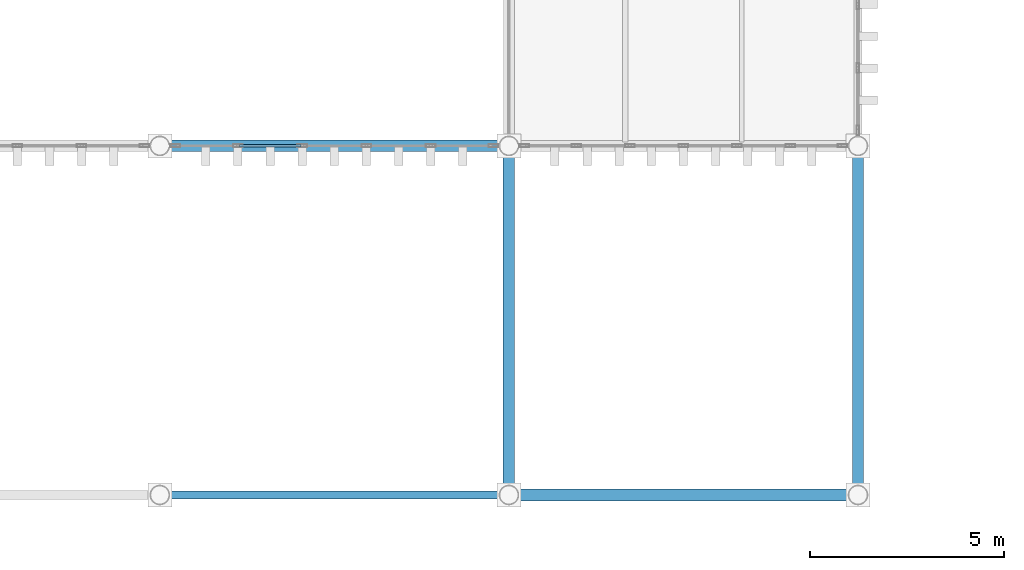
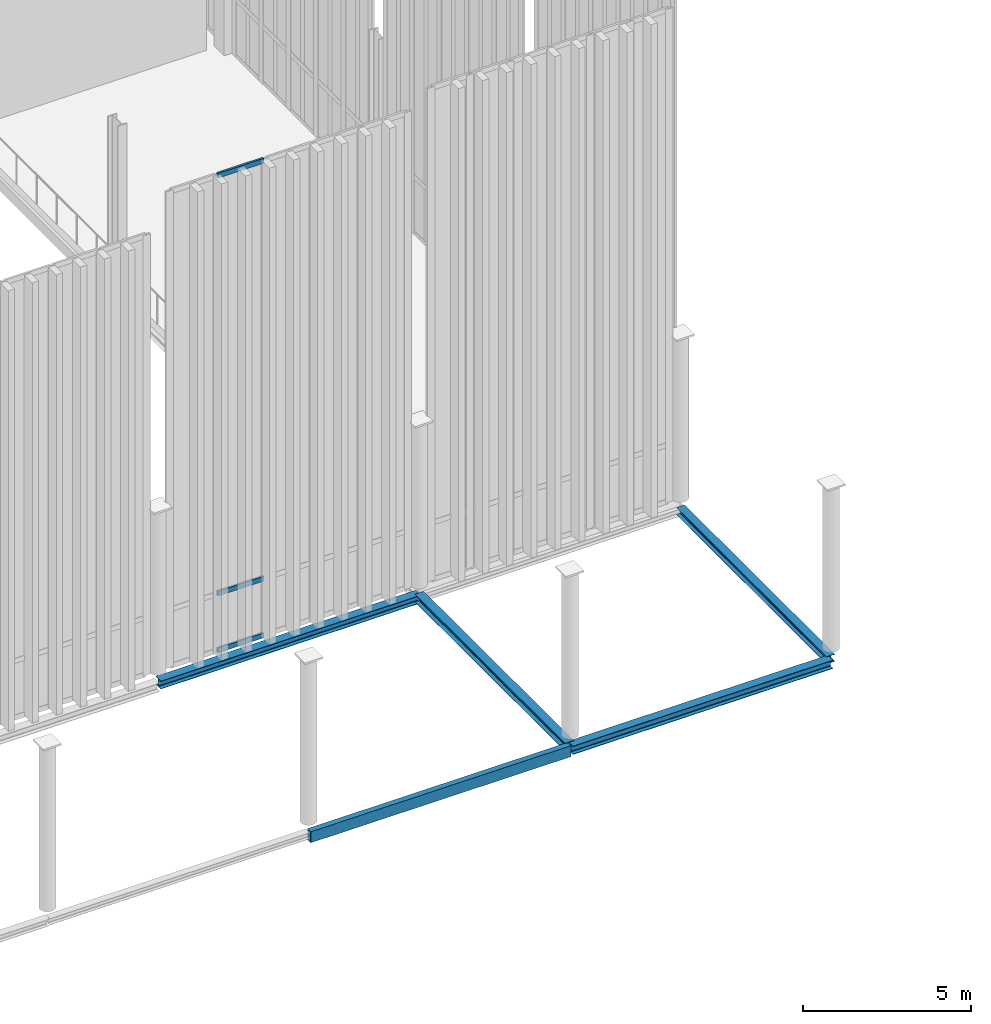
# One storey, part 44 of 237: 5 beams, 3 members, 1 element without a shape of its own.
"""IFC4 building model written with IfcOpenShell, lengths in metres."""

from ifc_helpers import new_model, si_unit, direction, frame, origin, origin_2d, place, context, subcontext, project, spatial, hollow_rectangle, i_section, extrude, material, layer, layer_set, material_profile, profile_set, type_object, element, aggregate, save


model = new_model("IFC4")

# Units and contexts
model_context = context("Model", 3, precision=1e-05, world=origin(), true_north=direction((0.0, 1.0)))
body_context = subcontext(model_context, "Body", "Model", "MODEL_VIEW")
ifc_project = project(units=[si_unit("LENGTHUNIT", "METRE"), si_unit("AREAUNIT", "SQUARE_METRE"), si_unit("VOLUMEUNIT", "CUBIC_METRE"), si_unit("PLANEANGLEUNIT", "RADIAN"), si_unit("MASSUNIT", "GRAM", prefix="KILO")], contexts=[model_context])

# Site, building, storey
site_placement = place(None, origin())
site = spatial("IfcSite", under=ifc_project, at=site_placement, CompositionType="ELEMENT")
building_placement = place(site_placement, origin())
building = spatial("IfcBuilding", under=site, at=building_placement, Name="Barlavento Convention Centre", CompositionType="ELEMENT")
storey_placement = place(building_placement, frame((0.0, 0.0, 12.0)))
storey = spatial("IfcBuildingStorey", under=building, at=storey_placement, Name="L02", CompositionType="ELEMENT", Elevation=12.0)

# Curtain wall, members
ifc_material_1 = material(Name="Powder-coated aluminium and Low-E glass", Category="aluminium")
ifc_layer = layer(ifc_material_1, 0.18994140625)
ifc_layer_set = layer_set([ifc_layer], Name="ARC-CW-CONG-L02")
curtain_wall_type = type_object("IfcCurtainWallType", Name="ARC-CW-CONG-L02", PredefinedType="NOTDEFINED", material=ifc_layer_set)
curtain_wall_placement = place(storey_placement, origin())
curtain_wall = element("IfcCurtainWall", 1, at=curtain_wall_placement, inside=storey, type_object=curtain_wall_type, Name="L02 unitised curtain wall CW02", PredefinedType="NOTDEFINED")
ifc_material_2 = material(Name="Powder-coated aluminium", Category="aluminium")
ifc_material_profile_1 = material_profile(ifc_material_2, hollow_rectangle(XDim=0.070068359375, YDim=0.179931640625, WallThickness=0.0048828125, at=origin_2d()), Name="AL-TRAN 70x180x5")
ifc_profile_set_1 = profile_set([ifc_material_profile_1], Name="Powder-coated aluminium")
member_type = type_object("IfcMemberType", Name="ARC-CWT-70X180", PredefinedType="USERDEFINED", material=ifc_profile_set_1)
member_1_placement = place(storey_placement, frame((47.052978515625, 9.0, 0.034912109375), z_axis=(1.0, 0.0, 0.0), x_axis=(0.0, 1.0, 0.0)))
member_1 = element("IfcMember", 2, at=member_1_placement, type_object=member_type, Name="CW02 transom 2.1", ObjectType="TRANSOM", PredefinedType="USERDEFINED", context=body_context, shape_type="SweptSolid", body=[
    extrude(hollow_rectangle(XDim=0.070068359375, YDim=0.179931640625, WallThickness=0.0048828125, at=origin_2d()), origin(), (0.0, 0.0, 1.0), 1.581298828125),
])
member_2_placement = place(storey_placement, frame((47.052978515625, 9.0, 2.10009765625), z_axis=(1.0, 0.0, 0.0), x_axis=(0.0, 1.0, 0.0)))
member_2 = element("IfcMember", 3, at=member_2_placement, type_object=member_type, Name="CW02 transom 2.2", ObjectType="TRANSOM", PredefinedType="USERDEFINED", context=body_context, shape_type="SweptSolid", body=[
    extrude(hollow_rectangle(XDim=0.070068359375, YDim=0.179931640625, WallThickness=0.0048828125, at=origin_2d()), origin(), (0.0, 0.0, 1.0), 1.581298828125),
])
member_3_placement = place(storey_placement, frame((47.052978515625, 9.0, 17.319091796875), z_axis=(1.0, 0.0, 0.0), x_axis=(0.0, 1.0, 0.0)))
member_3 = element("IfcMember", 4, at=member_3_placement, type_object=member_type, Name="CW02 transom 2.3", ObjectType="TRANSOM", PredefinedType="USERDEFINED", context=body_context, shape_type="SweptSolid", body=[
    extrude(hollow_rectangle(XDim=0.070068359375, YDim=0.179931640625, WallThickness=0.0048828125, at=origin_2d()), origin(), (0.0, 0.0, 1.0), 1.581298828125),
])
aggregate(curtain_wall, [member_1, member_2, member_3])

# Beams
ifc_material_3 = material(Name="Steel S355", Category="steel")
ifc_material_profile_2 = material_profile(ifc_material_3, i_section(OverallWidth=0.280029296875, OverallDepth=0.27001953125, WebThickness=0.008056640625, FlangeThickness=0.012939453125, FilletRadius=0.02392578125, at=origin_2d()), Name="HEA 280")
ifc_profile_set_2 = profile_set([ifc_material_profile_2], Name="Steel S355")
beam_type_1 = type_object("IfcBeamType", Name="STR-BM-SPN-HEA280", PredefinedType="SPANDREL", material=ifc_profile_set_2)
beam_1_placement = place(storey_placement, frame((63.0, 0.02001953125, -0.43505859375), z_axis=(0.0, 1.0, 0.0), x_axis=(-1.0, 0.0, 0.0)))
element("IfcBeam", 5, at=beam_1_placement, inside=storey, type_object=beam_type_1, Name="L02 grid girder SP03", PredefinedType="SPANDREL", context=body_context, shape_type="SweptSolid", body=[
    extrude(i_section(OverallWidth=0.280029296875, OverallDepth=0.27001953125, WebThickness=0.008056640625, FlangeThickness=0.012939453125, FilletRadius=0.02392578125, at=origin_2d()), origin(), (0.0, 0.0, 1.0), 8.9599609375),
])
ifc_material_profile_3 = material_profile(ifc_material_3, i_section(OverallWidth=0.300048828125, OverallDepth=0.2900390625, WebThickness=0.008544921875, FlangeThickness=0.013916015625, FilletRadius=0.027099609375, at=origin_2d()), Name="HEA 300")
ifc_profile_set_3 = profile_set([ifc_material_profile_3], Name="Steel S355")
beam_type_2 = type_object("IfcBeamType", Name="STR-BM-SPN-HEA300", PredefinedType="SPANDREL", material=ifc_profile_set_3)
for number, where, z_axis, x_axis, name in (
    (6, (45.02001953125, 9.0, -0.445068359375), (1.0, 0.0, 0.0), (0.0, 1.0, 0.0), "L02 primary girder SP02"),
    (7, (54.0, 0.02001953125, -0.445068359375), (0.0, 1.0, 0.0), (-1.0, 0.0, 0.0), "L02 grid girder SP02"),
):
    element("IfcBeam", number, at=place(storey_placement, frame(where, z_axis=z_axis, x_axis=x_axis)), inside=storey, type_object=beam_type_2, Name=name, PredefinedType="SPANDREL", context=body_context, shape_type="SweptSolid", body=[
        extrude(i_section(OverallWidth=0.300048828125, OverallDepth=0.2900390625, WebThickness=0.008544921875, FlangeThickness=0.013916015625, FilletRadius=0.027099609375, at=origin_2d()), origin(), (0.0, 0.0, 1.0), 8.9599609375),
    ])
ifc_material_profile_4 = material_profile(ifc_material_3, i_section(OverallWidth=0.300048828125, OverallDepth=0.31005859375, WebThickness=0.009033203125, FlangeThickness=0.015380859375, FilletRadius=0.027099609375, at=origin_2d()), Name="HEA 320")
ifc_profile_set_4 = profile_set([ifc_material_profile_4], Name="Steel S355")
beam_type_3 = type_object("IfcBeamType", Name="STR-BM-SPN-HEA320", PredefinedType="SPANDREL", material=ifc_profile_set_4)
beam_2_placement = place(storey_placement, frame((54.02001953125, 0.0, -0.514892578125), z_axis=(1.0, 0.0, 0.0), x_axis=(0.0, 1.0, 0.0)))
element("IfcBeam", 8, at=beam_2_placement, inside=storey, type_object=beam_type_3, Name="L02 primary girder SP01", PredefinedType="SPANDREL", context=body_context, shape_type="SweptSolid", body=[
    extrude(i_section(OverallWidth=0.300048828125, OverallDepth=0.31005859375, WebThickness=0.009033203125, FlangeThickness=0.015380859375, FilletRadius=0.027099609375, at=origin_2d()), origin(), (0.0, 0.0, 1.0), 8.9599609375),
])
ifc_material_profile_5 = material_profile(ifc_material_3, hollow_rectangle(XDim=0.199951171875, YDim=0.39990234375, WallThickness=0.01611328125, at=origin_2d()), Name="RHS 400x200x16.0")
ifc_profile_set_5 = profile_set([ifc_material_profile_5], Name="Steel S355")
beam_type_4 = type_object("IfcBeamType", Name="STR-BM-SPN-RHS400", PredefinedType="SPANDREL", material=ifc_profile_set_5)
beam_3_placement = place(storey_placement, frame((45.02001953125, 0.0, -0.56005859375), z_axis=(1.0, 0.0, 0.0), x_axis=(0.0, 1.0, 0.0)))
element("IfcBeam", 9, at=beam_3_placement, inside=storey, type_object=beam_type_4, Name="L02 primary girder SP06", PredefinedType="SPANDREL", context=body_context, shape_type="SweptSolid", body=[
    extrude(hollow_rectangle(XDim=0.199951171875, YDim=0.39990234375, WallThickness=0.01611328125, at=origin_2d()), origin(), (0.0, 0.0, 1.0), 8.9599609375),
])

save(model, "model.ifc")
